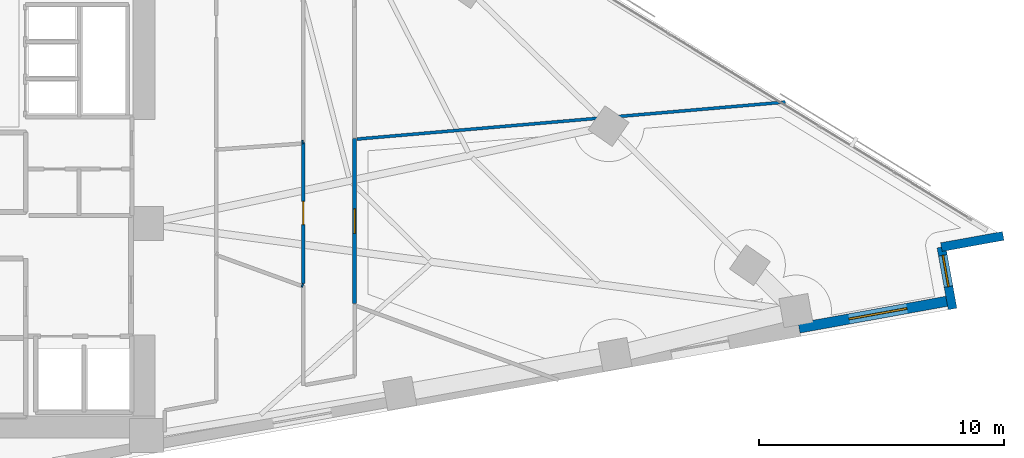
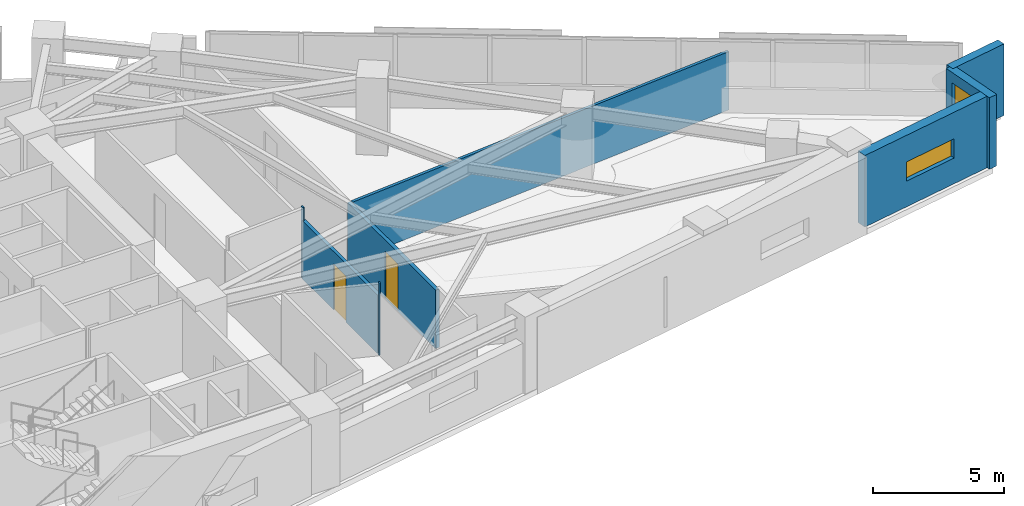
# One storey, part 15 of 18: 8 walls, 2 doors, 2 windows, 4 openings.
"""IFC4 building model written with IfcOpenShell, lengths in metres."""

from ifc_helpers import new_model, si_unit, direction, frame, frame_2d, origin, place, context, subcontext, project, spatial, rectangle, extrude, material, layer, layer_set, type_object, element, fill, save


model = new_model("IFC4")

# Units and contexts
model_context = context("Model", 3, precision=1e-05, world=origin(), true_north=direction((0.0, 1.0)))
body_context = subcontext(model_context, "Body", "Model", "MODEL_VIEW")
ifc_project = project(units=[si_unit("LENGTHUNIT", "METRE"), si_unit("AREAUNIT", "SQUARE_METRE"), si_unit("VOLUMEUNIT", "CUBIC_METRE"), si_unit("PLANEANGLEUNIT", "RADIAN"), si_unit("MASSUNIT", "GRAM", prefix="KILO")], contexts=[model_context])

# Site, building, storey
site_placement = place(None, origin())
site = spatial("IfcSite", under=ifc_project, at=site_placement, CompositionType="ELEMENT")
building_placement = place(site_placement, origin())
building = spatial("IfcBuilding", under=site, at=building_placement, Name="Narakoshi Arena Tower", CompositionType="ELEMENT")
storey_placement = place(building_placement, frame((0.0, 0.0, 120.89990234375)))
storey = spatial("IfcBuildingStorey", under=building, at=storey_placement, Name="L32", CompositionType="ELEMENT", Elevation=120.89990234375)

# Wall, opening, door
ifc_material_1 = material(Name="Gypsum plasterboard fire-rated partition")
ifc_layer_1 = layer(ifc_material_1, 0.1650390625)
ifc_layer_set_1 = layer_set([ifc_layer_1], Name="Gypsum plasterboard fire-rated partition")
wall_type_1 = type_object("IfcWallType", Name="WL-CORR-165", PredefinedType="PARTITIONING", material=ifc_layer_set_1)
wall_1_placement = place(storey_placement, frame((94.050048828125, 40.077392578125, 0.0), z_axis=(0.0, 0.0, 1.0), x_axis=(0.0, 1.0, 0.0)))
wall_1 = element("IfcWall", 1, at=wall_1_placement, inside=storey, type_object=wall_type_1, Name="L32 Corridor Partition 04-1", PredefinedType="PARTITIONING", context=body_context, shape_type="SweptSolid", body=[
    extrude(rectangle(XDim=6.7509765625, YDim=0.1650390625, at=frame_2d((3.37548828125, 0.0))), origin(), (0.0, 0.0, 1.0), 2.72509765625),
])
opening_1_placement = place(wall_1_placement, frame((2.87548828125, 0.0, 0.0)))
opening_1 = element("IfcOpeningElement", 2, at=opening_1_placement, cuts=wall_1, Name="Opening D-06", PredefinedType="OPENING", context=body_context, shape_type="SweptSolid", body=[
    extrude(rectangle(XDim=1.0, YDim=2.199951171875, at=frame_2d((0.5, 1.10009765625))), frame((0.0, 0.092529296875, 0.0), z_axis=(0.0, -1.0, 0.0), x_axis=(1.0, 0.0, 0.0)), (0.0, 0.0, 1.0), 0.18505859375),
])
ifc_material_2 = material(Name="Stained oak solid-core timber", Category="wood")
door_type_1 = type_object("IfcDoorType", Name="DR-OFF-1000", OperationType="NOTDEFINED", PredefinedType="DOOR", material=ifc_material_2)
door_1_placement = place(opening_1_placement, frame((1.0, 0.0, 0.0), z_axis=(0.0, 0.0, 1.0), x_axis=(-1.0, 0.0, 0.0)))
door_1 = element("IfcDoor", 3, at=door_1_placement, inside=storey, type_object=door_type_1, Name="DR-L32-018", OperationType="SINGLE_SWING_LEFT", OverallHeight=2.199951171875, OverallWidth=1.0, PredefinedType="DOOR", context=body_context, shape_type="SweptSolid", body=[
    extrude(rectangle(XDim=1.0, YDim=2.199951171875, at=frame_2d((0.5, 1.10009765625))), frame((0.0, 0.02490234375, 0.0), z_axis=(0.0, -1.0, 0.0), x_axis=(1.0, 0.0, 0.0)), (0.0, 0.0, 1.0), 0.050048828125),
])
fill(opening_1, door_1)

# Wall
ifc_layer_2 = layer(ifc_material_1, 0.125)
ifc_layer_set_2 = layer_set([ifc_layer_2], Name="Gypsum plasterboard fire-rated partition")
wall_type_2 = type_object("IfcWallType", Name="WL-PART-125", PredefinedType="PARTITIONING", material=ifc_layer_set_2)
wall_2_placement = place(storey_placement, frame((94.14453125, 46.80078125, 0.0), z_axis=(0.0, 0.0, 1.0), x_axis=(0.996288543636, 0.086076348786, 0.0)))
element("IfcWall", 4, at=wall_2_placement, inside=storey, type_object=wall_type_2, Name="L32 Inter-Room Partition 04-05", PredefinedType="PARTITIONING", context=body_context, shape_type="SweptSolid", body=[
    extrude(rectangle(XDim=17.556884765625, YDim=0.125, at=frame_2d((8.7783203125, 0.0))), origin(), (0.0, 0.0, 1.0), 2.72509765625),
])

# Wall, opening, window
ifc_material_3 = material(Name="Precast concrete C45/55", Category="concrete")
ifc_layer_3 = layer(ifc_material_3, 0.419921875)
ifc_layer_set_3 = layer_set([ifc_layer_3], Name="Precast concrete C45/55")
wall_type_3 = type_object("IfcWallType", Name="WL-POD-420", PredefinedType="SOLIDWALL", material=ifc_layer_set_3)
wall_3_placement = place(storey_placement, frame((112.198974609375, 39.086669921875, 0.0), z_axis=(0.0, 0.0, 1.0), x_axis=(0.984042888215, 0.177931431042, 0.0)))
wall_3 = element("IfcWall", 5, at=wall_3_placement, inside=storey, type_object=wall_type_3, Name="L32 Architectural Concrete Facade Wall LEGA-4", PredefinedType="SOLIDWALL", context=body_context, shape_type="SweptSolid", body=[
    extrude(rectangle(XDim=6.30615234375, YDim=0.419921875, at=frame_2d((3.153076171875, 0.0))), origin(), (0.0, 0.0, 1.0), 3.340087890625),
])
opening_2_placement = place(wall_3_placement, frame((2.0751953125, 0.0, 1.199951171875)))
opening_2 = element("IfcOpeningElement", 6, at=opening_2_placement, cuts=wall_3, Name="Opening WN-01", PredefinedType="OPENING", context=body_context, shape_type="SweptSolid", body=[
    extrude(rectangle(XDim=2.39990234375, YDim=0.89990234375, at=frame_2d((1.199951171875, 0.449951171875))), frame((0.0, 0.219970703125, 0.0), z_axis=(0.0, -1.0, 0.0), x_axis=(1.0, 0.0, 0.0)), (0.0, 0.0, 1.0), 0.43994140625),
])
ifc_material_4 = material(Name="Bronze-tinted low-E laminated glass", Category="glass")
window_type_1 = type_object("IfcWindowType", Name="WIN-SLT-24x09", PartitioningType="SINGLE_PANEL", PredefinedType="WINDOW", material=ifc_material_4)
window_1_placement = place(opening_2_placement, origin())
window_1 = element("IfcWindow", 7, at=window_1_placement, inside=storey, type_object=window_type_1, Name="L32 LEGA4 Horizontal Slot Window 1", OverallHeight=0.89990234375, OverallWidth=2.39990234375, PartitioningType="SINGLE_PANEL", PredefinedType="WINDOW", context=body_context, shape_type="SweptSolid", body=[
    extrude(rectangle(XDim=2.39990234375, YDim=0.89990234375, at=frame_2d((1.199951171875, 0.449951171875))), frame((0.0, 0.030029296875, 0.0), z_axis=(0.0, -1.0, 0.0), x_axis=(1.0, 0.0, 0.0)), (0.0, 0.0, 1.0), 0.06005859375),
])
fill(opening_2, window_1)

wall_4_placement = place(storey_placement, frame((118.466796875, 39.8642578125, 0.0), z_axis=(0.0, 0.0, 1.0), x_axis=(-0.177897493713, 0.984049024048, 0.0)))
wall_4 = element("IfcWall", 8, at=wall_4_placement, inside=storey, type_object=wall_type_3, Name="L32 Re-Entrant Corner Notch Wall NTE-1", PredefinedType="SOLIDWALL", context=body_context, shape_type="SweptSolid", body=[
    extrude(rectangle(XDim=2.56640625, YDim=0.360107421875, at=frame_2d((1.283203125, 0.0))), origin(), (0.0, 0.0, 1.0), 3.340087890625),
])
opening_3_placement = place(wall_4_placement, frame((0.92626953125, 0.0, 0.449951171875)))
opening_3 = element("IfcOpeningElement", 9, at=opening_3_placement, cuts=wall_4, Name="Opening WN-06", PredefinedType="OPENING", context=body_context, shape_type="SweptSolid", body=[
    extrude(rectangle(XDim=1.300048828125, YDim=2.39990234375, at=frame_2d((0.64990234375, 1.199951171875))), frame((0.0, 0.18994140625, 0.0), z_axis=(0.0, -1.0, 0.0), x_axis=(1.0, 0.0, 0.0)), (0.0, 0.0, 1.0), 0.380126953125),
])
window_type_2 = type_object("IfcWindowType", Name="WIN-NTC-16x24", PartitioningType="SINGLE_PANEL", PredefinedType="WINDOW", material=ifc_material_4)
window_2_placement = place(opening_3_placement, origin())
window_2 = element("IfcWindow", 10, at=window_2_placement, inside=storey, type_object=window_type_2, Name="L32 Corner Notch Window NTE", OverallHeight=2.39990234375, OverallWidth=1.300048828125, PartitioningType="SINGLE_PANEL", PredefinedType="WINDOW", context=body_context, shape_type="SweptSolid", body=[
    extrude(rectangle(XDim=1.300048828125, YDim=2.39990234375, at=frame_2d((0.64990234375, 1.199951171875))), frame((0.0, 0.030029296875, 0.0), z_axis=(0.0, -1.0, 0.0), x_axis=(1.0, 0.0, 0.0)), (0.0, 0.0, 1.0), 0.06005859375),
])
fill(opening_3, window_2)

# Walls
wall_5_placement = place(storey_placement, frame((118.01025390625, 42.3896484375, 0.0), z_axis=(0.0, 0.0, 1.0), x_axis=(0.984046012923, 0.177914149102, 0.0)))
element("IfcWall", 11, at=wall_5_placement, inside=storey, type_object=wall_type_3, Name="L32 Re-Entrant Corner Notch Wall NTE-2", PredefinedType="SOLIDWALL", context=body_context, shape_type="SweptSolid", body=[
    extrude(rectangle(XDim=2.566162109375, YDim=0.360107421875, at=frame_2d((1.283203125, 0.0))), origin(), (0.0, 0.0, 1.0), 3.340087890625),
])
ifc_material_5 = material(Name="Moisture-resistant cement-board partition")
ifc_layer_4 = layer(ifc_material_5, 0.14501953125)
ifc_layer_set_4 = layer_set([ifc_layer_4], Name="Moisture-resistant cement-board partition")
wall_type_4 = type_object("IfcWallType", Name="WL-WET-145", PredefinedType="PARTITIONING", material=ifc_layer_set_4)
wall_6_placement = place(storey_placement, frame((91.889892578125, 40.835693359375, 0.0), z_axis=(0.0, 0.0, 1.0), x_axis=(0.940350208768, -0.340208002359, 0.0)))
element("IfcWall", 12, at=wall_6_placement, inside=storey, type_object=wall_type_4, Name="L32 Corridor Partition 02-6", PredefinedType="PARTITIONING", context=body_context, shape_type="SweptSolid", body=[
    extrude(rectangle(XDim=0.06396484375, YDim=0.14501953125, at=frame_2d((0.031982421875, 0.0))), origin(), (0.0, 0.0, 1.0), 3.340087890625),
])

# Wall, opening, door
wall_7_placement = place(storey_placement, frame((91.949951171875, 46.657470703125, 0.0), z_axis=(0.0, 0.0, 1.0), x_axis=(0.0, -1.0, 0.0)))
wall_7 = element("IfcWall", 13, at=wall_7_placement, inside=storey, type_object=wall_type_4, Name="L32 Corridor Partition 03-1", PredefinedType="PARTITIONING", context=body_context, shape_type="SweptSolid", body=[
    extrude(rectangle(XDim=5.753662109375, YDim=0.14501953125, at=frame_2d((2.876953125, 0.0))), origin(), (0.0, 0.0, 1.0), 2.72509765625),
])
opening_4_placement = place(wall_7_placement, frame((2.40185546875, 0.0, 0.0)))
opening_4 = element("IfcOpeningElement", 14, at=opening_4_placement, cuts=wall_7, Name="Opening D-07", PredefinedType="OPENING", context=body_context, shape_type="SweptSolid", body=[
    extrude(rectangle(XDim=0.949951171875, YDim=2.14990234375, at=frame_2d((0.47509765625, 1.074951171875))), frame((0.0, 0.08251953125, 0.0), z_axis=(0.0, -1.0, 0.0), x_axis=(1.0, 0.0, 0.0)), (0.0, 0.0, 1.0), 0.1650390625),
])
door_type_2 = type_object("IfcDoorType", Name="DR-ACC-950", OperationType="NOTDEFINED", PredefinedType="DOOR", material=ifc_material_2)
door_2_placement = place(opening_4_placement, frame((0.949951171875, 0.0, 0.0), z_axis=(0.0, 0.0, 1.0), x_axis=(-1.0, 0.0, 0.0)))
door_2 = element("IfcDoor", 15, at=door_2_placement, inside=storey, type_object=door_type_2, Name="DR-L32-017", OperationType="SINGLE_SWING_LEFT", OverallHeight=2.14990234375, OverallWidth=0.949951171875, PredefinedType="DOOR", context=body_context, shape_type="SweptSolid", body=[
    extrude(rectangle(XDim=0.949951171875, YDim=2.14990234375, at=frame_2d((0.47509765625, 1.074951171875))), frame((0.0, 0.02490234375, 0.0), z_axis=(0.0, -1.0, 0.0), x_axis=(1.0, 0.0, 0.0)), (0.0, 0.0, 1.0), 0.050048828125),
])
fill(opening_4, door_2)

# Wall
wall_8_placement = place(storey_placement, frame((91.949951171875, 46.681640625, 0.0), z_axis=(0.0, 0.0, 1.0), x_axis=(-0.996711382833, -0.081033445759, 0.0)))
element("IfcWall", 16, at=wall_8_placement, inside=storey, type_object=wall_type_4, Name="L32 Corridor Partition 06-4", PredefinedType="PARTITIONING", context=body_context, shape_type="SweptSolid", body=[
    extrude(rectangle(XDim=0.060302734375, YDim=0.14501953125, at=frame_2d((0.0302734375, 0.0))), origin(), (0.0, 0.0, 1.0), 3.340087890625),
])

save(model, "model.ifc")
